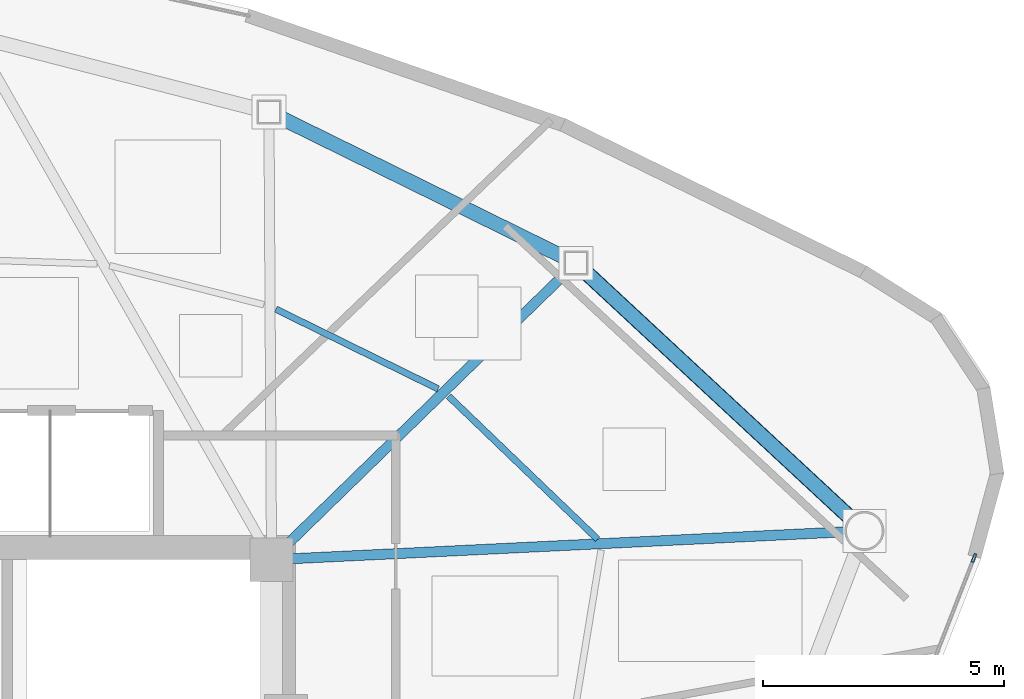
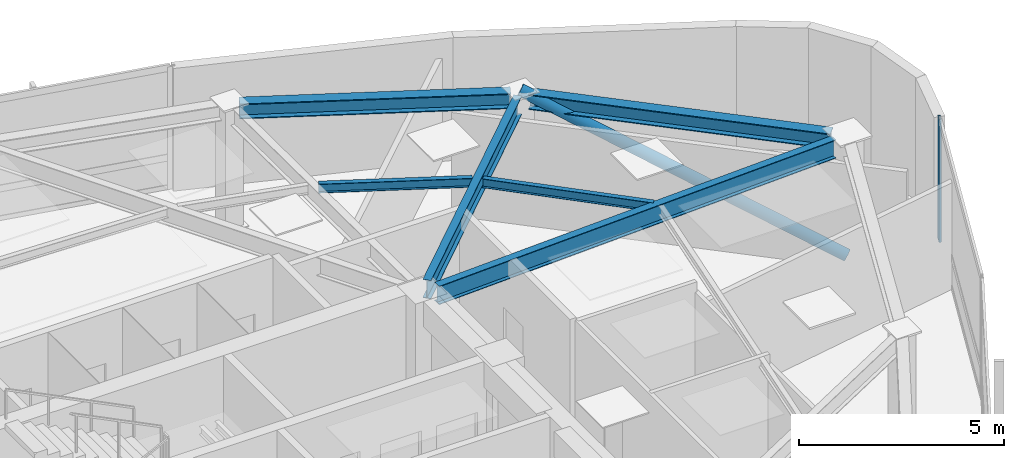
# One storey, part 7 of 14: 6 beams, 2 members, 1 element without a shape of its own.
"""IFC4 building model written with IfcOpenShell, lengths in metres."""

from ifc_helpers import new_model, si_unit, direction, frame, origin, origin_2d, place, context, subcontext, project, spatial, hollow_rectangle, hollow_circle, i_section, extrude, source, transform, mapped, material, layer, layer_set, material_profile, profile_set, type_object, type_shapes, element, aggregate, save


model = new_model("IFC4")

# Units and contexts
model_context = context("Model", 3, precision=1e-05, world=origin(), true_north=direction((0.0, 1.0)))
body_context = subcontext(model_context, "Body", "Model", "MODEL_VIEW")
ifc_project = project(units=[si_unit("LENGTHUNIT", "METRE"), si_unit("AREAUNIT", "SQUARE_METRE"), si_unit("VOLUMEUNIT", "CUBIC_METRE"), si_unit("PLANEANGLEUNIT", "RADIAN"), si_unit("MASSUNIT", "GRAM", prefix="KILO")], contexts=[model_context])

# Site, building, storey
site_placement = place(None, origin())
site = spatial("IfcSite", under=ifc_project, at=site_placement, CompositionType="ELEMENT")
building_placement = place(site_placement, origin())
building = spatial("IfcBuilding", under=site, at=building_placement, Name="Tavelor Broadcast Tower", CompositionType="ELEMENT")
storey_placement = place(building_placement, frame((0.0, 0.0, 257.699951171875)))
storey = spatial("IfcBuildingStorey", under=building, at=storey_placement, Name="L61", CompositionType="ELEMENT", Elevation=257.699951171875)

# Beams
ifc_material_1 = material(Name="Steel S355", Category="steel")
ifc_material_profile_1 = material_profile(ifc_material_1, i_section(OverallWidth=0.135009765625, OverallDepth=0.27001953125, WebThickness=0.006591796875, FlangeThickness=0.01025390625, at=origin_2d()), Name="IPE 270")
ifc_profile_set_1 = profile_set([ifc_material_profile_1], Name="Steel S355")
beam_type_1 = type_object("IfcBeamType", Name="Composite Floor Joist T6 IPE 270", PredefinedType="JOIST", material=ifc_profile_set_1)
beam_1_placement = place(storey_placement, frame((63.373779296875, 51.627197265625, 3.51513671875), z_axis=(-0.72136115861, 0.692559079682, 0.0), x_axis=(-0.692559079682, -0.72136115861, 0.0)))
element("IfcBeam", 1, at=beam_1_placement, inside=storey, type_object=beam_type_1, Name="L61 Secondary Composite Floor Joist 13", PredefinedType="JOIST", context=body_context, shape_type="SweptSolid", body=[
    extrude(i_section(OverallWidth=0.135009765625, OverallDepth=0.27001953125, WebThickness=0.006591796875, FlangeThickness=0.01025390625, at=origin_2d()), origin(), (0.0, 0.0, 1.0), 4.2890625),
])
beam_2_placement = place(storey_placement, frame((60.062744140625, 54.749755859375, 3.51513671875), z_axis=(-0.897549365046, 0.440913979485, 0.0), x_axis=(-0.440913979485, -0.897549365046, 0.0)))
element("IfcBeam", 2, at=beam_2_placement, inside=storey, type_object=beam_type_1, Name="L61 Secondary Composite Floor Joist 14", PredefinedType="JOIST", context=body_context, shape_type="SweptSolid", body=[
    extrude(i_section(OverallWidth=0.135009765625, OverallDepth=0.27001953125, WebThickness=0.006591796875, FlangeThickness=0.01025390625, at=origin_2d()), origin(), (0.0, 0.0, 1.0), 3.758056640625),
])
ifc_material_profile_2 = material_profile(ifc_material_1, i_section(OverallWidth=0.300048828125, OverallDepth=0.449951171875, WebThickness=0.013916015625, FlangeThickness=0.02587890625, at=origin_2d()), Name="HEB 450")
ifc_profile_set_2 = profile_set([ifc_material_profile_2], Name="Steel S355")
beam_type_2 = type_object("IfcBeamType", Name="Perimeter Spandrel Beam T6 HEB 450", PredefinedType="SPANDREL", material=ifc_profile_set_2)
beam_3_placement = place(storey_placement, frame((68.6337890625, 52.064697265625, 3.425048828125), z_axis=(-0.732775058348, 0.680470950051, 0.0), x_axis=(-0.680470950051, -0.732775058348, 0.0)))
element("IfcBeam", 3, at=beam_3_placement, inside=storey, type_object=beam_type_2, Name="L61 Framed-Tube Ring Spandrel 13", PredefinedType="SPANDREL", context=body_context, shape_type="SweptSolid", body=[
    extrude(i_section(OverallWidth=0.300048828125, OverallDepth=0.449951171875, WebThickness=0.013916015625, FlangeThickness=0.02587890625, at=origin_2d()), origin(), (0.0, 0.0, 1.0), 7.547607421875),
])
beam_4_placement = place(storey_placement, frame((62.7119140625, 57.469970703125, 3.425048828125), z_axis=(-0.897258179133, 0.441506240022, 0.0), x_axis=(-0.441506240022, -0.897258179134, 0.0)))
element("IfcBeam", 4, at=beam_4_placement, inside=storey, type_object=beam_type_2, Name="L61 Framed-Tube Ring Spandrel 14", PredefinedType="SPANDREL", context=body_context, shape_type="SweptSolid", body=[
    extrude(i_section(OverallWidth=0.300048828125, OverallDepth=0.449951171875, WebThickness=0.013916015625, FlangeThickness=0.02587890625, at=origin_2d()), origin(), (0.0, 0.0, 1.0), 6.63232421875),
])

# Member
ifc_material_profile_3 = material_profile(ifc_material_1, hollow_circle(Radius=0.161865234375, WallThickness=0.01611328125, at=origin_2d()), Name="CHS 323.9x16")
ifc_profile_set_3 = profile_set([ifc_material_profile_3], Name="Steel S355")
member_type_1 = type_object("IfcMemberType", Name="Perimeter Tube Brace T6 CHS 323.9x16", PredefinedType="BRACE", material=ifc_profile_set_3)
member_1_placement = place(storey_placement, frame((68.919677734375, 51.799072265625, 0.0), z_axis=(-0.669132570724, 0.621397751765, 0.407586109794), x_axis=(-0.680486595916, -0.732760528944, 0.0)))
element("IfcMember", 5, at=member_1_placement, inside=storey, type_object=member_type_1, Name="L61 Corner Tube Diagonal Brace 3", PredefinedType="BRACE", context=body_context, shape_type="SweptSolid", body=[
    extrude(hollow_circle(Radius=0.161865234375, WallThickness=0.01611328125, at=origin_2d()), origin(), (0.0, 0.0, 1.0), 8.95556640625),
])

# Beams
ifc_material_profile_4 = material_profile(ifc_material_1, i_section(OverallWidth=0.2099609375, OverallDepth=0.550048828125, WebThickness=0.010986328125, FlangeThickness=0.01708984375, at=origin_2d()), Name="IPE 550")
ifc_profile_set_4 = profile_set([ifc_material_profile_4], Name="Steel S355")
beam_type_3 = type_object("IfcBeamType", Name="Radial Floor Girder T6 IPE 550", PredefinedType="BEAM", material=ifc_profile_set_4)
beam_5_placement = place(storey_placement, frame((57.031494140625, 51.220947265625, 3.375), z_axis=(0.998819991205, 0.048565678915, 0.0), x_axis=(-0.048565678915, 0.998819991205, 0.0)))
element("IfcBeam", 6, at=beam_5_placement, inside=storey, type_object=beam_type_3, Name="L61 Radial Primary Floor Girder 13", PredefinedType="BEAM", context=body_context, shape_type="SweptSolid", body=[
    extrude(i_section(OverallWidth=0.2099609375, OverallDepth=0.550048828125, WebThickness=0.010986328125, FlangeThickness=0.01708984375, at=origin_2d()), origin(), (0.0, 0.0, 1.0), 11.511962890625),
])
beam_6_placement = place(storey_placement, frame((56.909423828125, 51.50146484375, 3.375), z_axis=(0.716304728622, 0.697787600745, 0.0), x_axis=(-0.697787600745, 0.716304728622, 0.0)))
element("IfcBeam", 7, at=beam_6_placement, inside=storey, type_object=beam_type_3, Name="L61 Radial Primary Floor Girder 14", PredefinedType="BEAM", context=body_context, shape_type="SweptSolid", body=[
    extrude(i_section(OverallWidth=0.2099609375, OverallDepth=0.550048828125, WebThickness=0.010986328125, FlangeThickness=0.01708984375, at=origin_2d()), origin(), (0.0, 0.0, 1.0), 8.161376953125),
])

# Curtain wall, member
ifc_material_2 = material(Name="Architectural Anodized Aluminium", Category="aluminium")
ifc_layer = layer(ifc_material_2, 0.199951171875)
ifc_layer_set = layer_set([ifc_layer], Name="Architectural Anodized Aluminium")
curtain_wall_type = type_object("IfcCurtainWallType", Name="Tower High-Zone Triple-Glazed Curtain Wall CW04", PredefinedType="NOTDEFINED", material=ifc_layer_set)
curtain_wall_placement = place(storey_placement, origin())
curtain_wall = element("IfcCurtainWall", 8, at=curtain_wall_placement, inside=storey, type_object=curtain_wall_type, Name="L61 Curtain Wall CW04 Run 668", PredefinedType="NOTDEFINED")
ifc_material_profile_5 = material_profile(ifc_material_2, hollow_rectangle(XDim=0.070068359375, YDim=0.199951171875, WallThickness=0.02197265625, at=origin_2d()), Name="RHS 70x200x22")
ifc_profile_set_5 = profile_set([ifc_material_profile_5], Name="Architectural Anodized Aluminium")
member_type_2 = type_object("IfcMemberType", Name="CW04 Extruded Aluminium Mullion 70x200", PredefinedType="MULLION", material=ifc_profile_set_5)
shared_shape = source(origin(), body_context, "Body", "SweptSolid", [
    extrude(hollow_rectangle(XDim=0.070068359375, YDim=0.199951171875, WallThickness=0.02197265625, at=origin_2d()), origin(), (0.0, 0.0, 1.0), 3.650146484375),
])
type_shapes(member_type_2, [shared_shape])
member_2_placement = place(storey_placement, frame((71.197265625, 51.235595703125, 0.0), z_axis=(0.0, 0.0, 1.0), x_axis=(-0.931542002895, 0.363633739967, 0.0)))
member_2 = element("IfcMember", 9, at=member_2_placement, type_object=member_type_2, Name="CW04 mullion 2", PredefinedType="MULLION", context=body_context, shape_type="MappedRepresentation", body=[
    mapped(shared_shape, transform((0.0, 0.0, 0.0), scale=1.0)),
])
aggregate(curtain_wall, [member_2])

save(model, "model.ifc")
